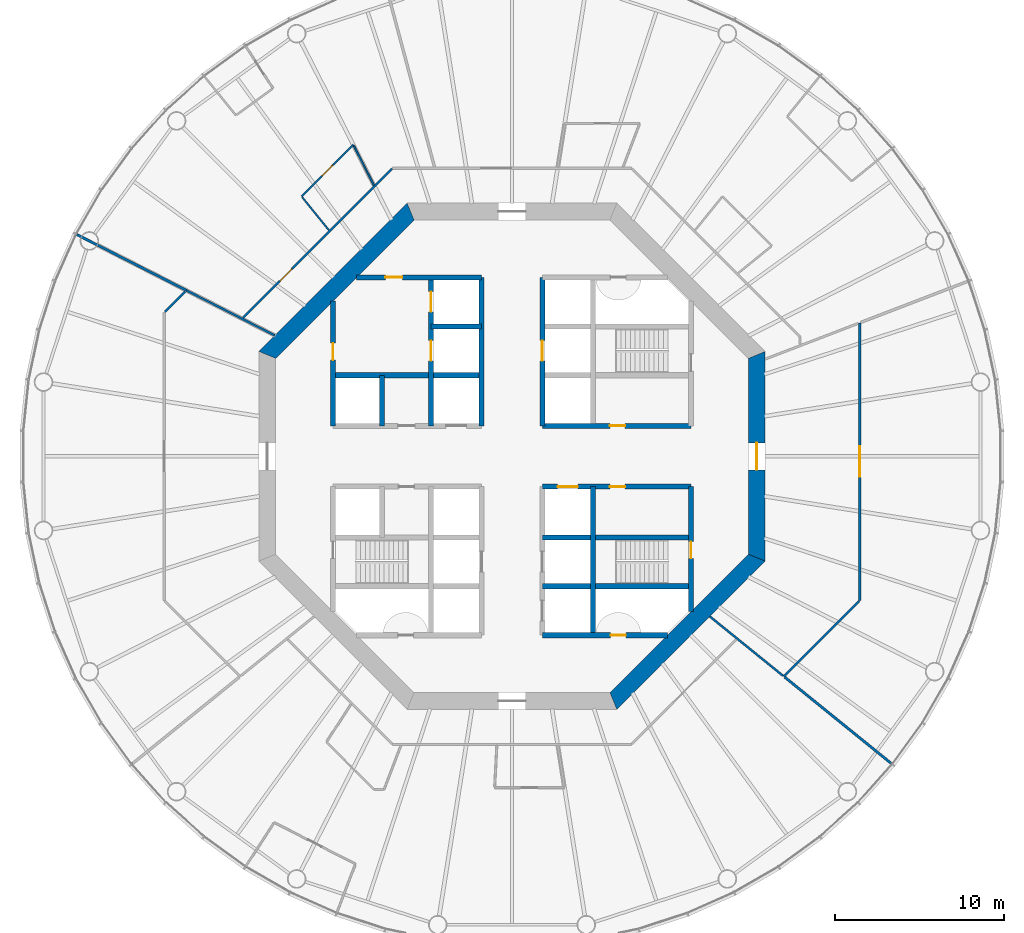
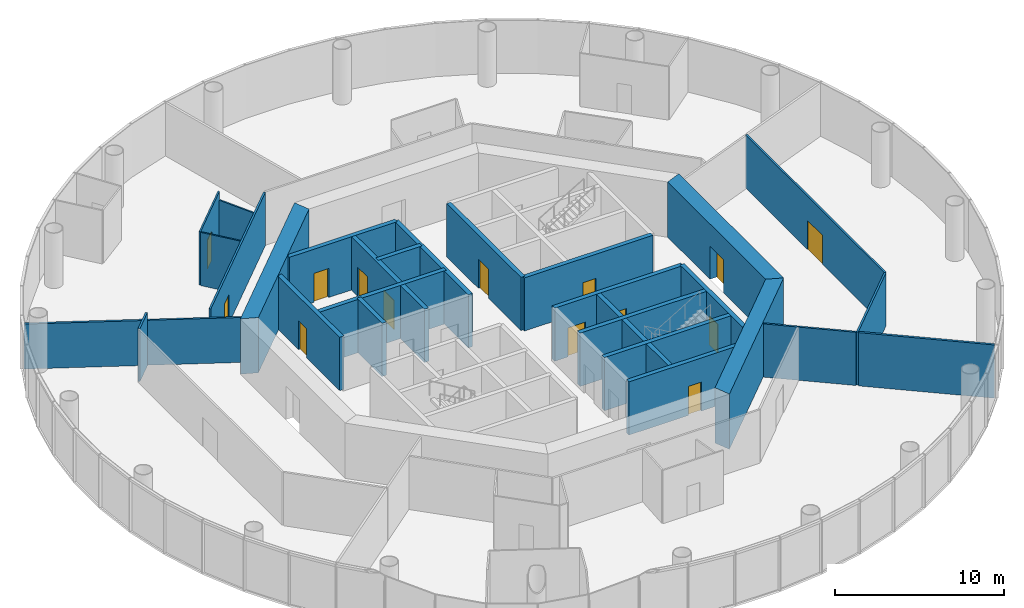
# One storey, part 4 of 12: 29 walls, 14 doors, 14 openings.
"""IFC4 building model written with IfcOpenShell, lengths in metres."""

from ifc_helpers import new_model, si_unit, direction, frame, frame_2d, origin, place, context, subcontext, project, spatial, polyline, rectangle, outline, extrude, material, layer, layer_set, type_object, element, fill, save


model = new_model("IFC4")

# Units and contexts
model_context = context("Model", 3, precision=1e-05, world=origin(), true_north=direction((0.0, 1.0)))
body_context = subcontext(model_context, "Body", "Model", "MODEL_VIEW")
ifc_project = project(units=[si_unit("LENGTHUNIT", "METRE"), si_unit("AREAUNIT", "SQUARE_METRE"), si_unit("VOLUMEUNIT", "CUBIC_METRE"), si_unit("PLANEANGLEUNIT", "RADIAN"), si_unit("MASSUNIT", "GRAM", prefix="KILO")], contexts=[model_context])

# Site, building, storey
site_placement = place(None, origin())
site = spatial("IfcSite", under=ifc_project, at=site_placement, CompositionType="ELEMENT")
building_placement = place(site_placement, origin())
building = spatial("IfcBuilding", under=site, at=building_placement, Name="Entoto Ring Tower", CompositionType="ELEMENT")
storey_placement = place(building_placement, frame((0.0, 0.0, 192.0)))
storey = spatial("IfcBuildingStorey", under=building, at=storey_placement, Name="L44", CompositionType="ELEMENT", Elevation=192.0)

# Wall, opening, door
ifc_material_1 = material(Name="Concrete C40/50", Category="concrete")
ifc_layer_1 = layer(ifc_material_1, 0.300048828125)
ifc_layer_set_1 = layer_set([ifc_layer_1], Name="Concrete C40/50")
wall_type_1 = type_object("IfcWallType", Name="Core enclosure wall 300 mm reinforced concrete", PredefinedType="SOLIDWALL", material=ifc_layer_set_1)
wall_1_placement = place(storey_placement, frame((100.60009765625, 70.801025390625, 0.0), z_axis=(0.0, 0.0, 1.0), x_axis=(0.0, 1.0, 0.0)))
wall_1 = element("IfcWall", 1, at=wall_1_placement, inside=storey, type_object=wall_type_1, Name="wall-L44-001", PredefinedType="SOLIDWALL", context=body_context, shape_type="SweptSolid", body=[
    extrude(rectangle(XDim=7.39892578125, YDim=0.300048828125, at=frame_2d((3.699462890625, 0.0))), origin(), (0.0, 0.0, 1.0), 3.85009765625),
])
opening_1_placement = place(wall_1_placement, frame((3.14892578125, 0.0, 0.0)))
opening_1 = element("IfcOpeningElement", 2, at=opening_1_placement, cuts=wall_1, Name="Opening K-17", PredefinedType="OPENING", context=body_context, shape_type="SweptSolid", body=[
    extrude(rectangle(XDim=1.0, YDim=2.10009765625, at=frame_2d((0.5, 1.050048828125))), frame((0.0, 0.16015625, 0.0), z_axis=(0.0, -1.0, 0.0), x_axis=(1.0, 0.0, 0.0)), (0.0, 0.0, 1.0), 0.320068359375),
])
ifc_material_2 = material(Name="Steel door leaf, fire rated", Category="steel")
ifc_layer_2 = layer(ifc_material_2, 0.050048828125)
ifc_layer_set_2 = layer_set([ifc_layer_2], Name="Steel door leaf, fire rated")
door_type_1 = type_object("IfcDoorType", Name="Fire door FD60 1000 x 2100 single leaf", OperationType="NOTDEFINED", PredefinedType="DOOR", material=ifc_layer_set_2)
door_1_placement = place(opening_1_placement, origin())
door_1 = element("IfcDoor", 3, at=door_1_placement, inside=storey, type_object=door_type_1, Name="Door K-17", OperationType="SINGLE_SWING_RIGHT", OverallHeight=2.10009765625, OverallWidth=1.0, PredefinedType="DOOR", context=body_context, shape_type="SweptSolid", body=[
    extrude(rectangle(XDim=1.0, YDim=2.10009765625, at=frame_2d((0.5, 1.050048828125))), frame((0.0, 0.02490234375, 0.0), z_axis=(0.0, -1.0, 0.0), x_axis=(1.0, 0.0, 0.0)), (0.0, 0.0, 1.0), 0.050048828125),
])
fill(opening_1, door_1)

# Wall
wall_2_placement = place(storey_placement, frame((94.800048828125, 69.39990234375, 0.0), z_axis=(0.0, 0.0, 1.0), x_axis=(0.0, 1.0, 0.0)))
element("IfcWall", 4, at=wall_2_placement, inside=storey, type_object=wall_type_1, Name="wall-L44-003", PredefinedType="SOLIDWALL", context=body_context, shape_type="SweptSolid", body=[
    extrude(rectangle(XDim=8.800048828125, YDim=0.300048828125, at=frame_2d((4.39990234375, 0.0))), origin(), (0.0, 0.0, 1.0), 3.85009765625),
])

# Wall, opening, door
wall_3_placement = place(storey_placement, frame((91.800048828125, 81.800048828125, 0.0), z_axis=(0.0, 0.0, 1.0), x_axis=(0.0, 1.0, 0.0)))
wall_3 = element("IfcWall", 5, at=wall_3_placement, inside=storey, type_object=wall_type_1, Name="wall-L44-006", PredefinedType="SOLIDWALL", context=body_context, shape_type="SweptSolid", body=[
    extrude(rectangle(XDim=8.800048828125, YDim=0.300048828125, at=frame_2d((4.39990234375, 0.0))), origin(), (0.0, 0.0, 1.0), 3.85009765625),
])
opening_2_placement = place(wall_3_placement, frame((3.85009765625, 0.0, 0.0)))
opening_2 = element("IfcOpeningElement", 6, at=opening_2_placement, cuts=wall_3, Name="Opening LD", PredefinedType="OPENING", context=body_context, shape_type="SweptSolid", body=[
    extrude(rectangle(XDim=1.199951171875, YDim=2.10009765625, at=frame_2d((0.60009765625, 1.050048828125))), frame((0.0, 0.16015625, 0.0), z_axis=(0.0, -1.0, 0.0), x_axis=(1.0, 0.0, 0.0)), (0.0, 0.0, 1.0), 0.320068359375),
])
ifc_material_3 = material(Name="Steel and glass door leaf", Category="steel")
ifc_layer_3 = layer(ifc_material_3, 0.050048828125)
ifc_layer_set_3 = layer_set([ifc_layer_3], Name="Steel and glass door leaf")
door_type_2 = type_object("IfcDoorType", Name="Landing door 1200 x 2100 sliding", OperationType="DOUBLE_DOOR_SLIDING", PredefinedType="DOOR", material=ifc_layer_set_3)
door_2_placement = place(opening_2_placement, origin())
door_2 = element("IfcDoor", 7, at=door_2_placement, inside=storey, type_object=door_type_2, Name="Landing door LB1-MR", OperationType="SLIDING_TO_RIGHT", OverallHeight=2.10009765625, OverallWidth=1.199951171875, PredefinedType="DOOR", context=body_context, shape_type="SweptSolid", body=[
    extrude(rectangle(XDim=1.199951171875, YDim=2.10009765625, at=frame_2d((0.60009765625, 1.050048828125))), frame((0.0, 0.02490234375, 0.0), z_axis=(0.0, -1.0, 0.0), x_axis=(1.0, 0.0, 0.0)), (0.0, 0.0, 1.0), 0.050048828125),
])
fill(opening_2, door_2)

# Wall
wall_4_placement = place(storey_placement, frame((88.199951171875, 81.800048828125, 0.0), z_axis=(0.0, 0.0, 1.0), x_axis=(0.0, 1.0, 0.0)))
element("IfcWall", 8, at=wall_4_placement, inside=storey, type_object=wall_type_1, Name="wall-L44-008", PredefinedType="SOLIDWALL", context=body_context, shape_type="SweptSolid", body=[
    extrude(rectangle(XDim=8.800048828125, YDim=0.300048828125, at=frame_2d((4.39990234375, 0.0))), origin(), (0.0, 0.0, 1.0), 3.85009765625),
])

# Wall, openings, doors
wall_5_placement = place(storey_placement, frame((85.199951171875, 81.800048828125, 0.0), z_axis=(0.0, 0.0, 1.0), x_axis=(0.0, 1.0, 0.0)))
wall_5 = element("IfcWall", 9, at=wall_5_placement, inside=storey, type_object=wall_type_1, Name="wall-L44-010", PredefinedType="SOLIDWALL", context=body_context, shape_type="SweptSolid", body=[
    extrude(rectangle(XDim=8.800048828125, YDim=0.300048828125, at=frame_2d((4.39990234375, 0.0))), origin(), (0.0, 0.0, 1.0), 3.85009765625),
])
opening_3_placement = place(wall_5_placement, frame((3.85009765625, 0.0, 0.0)))
opening_3 = element("IfcOpeningElement", 10, at=opening_3_placement, cuts=wall_5, Name="Opening LD", PredefinedType="OPENING", context=body_context, shape_type="SweptSolid", body=[
    extrude(rectangle(XDim=1.199951171875, YDim=2.10009765625, at=frame_2d((0.60009765625, 1.050048828125))), frame((0.0, 0.16015625, 0.0), z_axis=(0.0, -1.0, 0.0), x_axis=(1.0, 0.0, 0.0)), (0.0, 0.0, 1.0), 0.320068359375),
])
opening_4_placement = place(wall_5_placement, frame((6.75, 0.0, 0.0)))
opening_4 = element("IfcOpeningElement", 11, at=opening_4_placement, cuts=wall_5, Name="Opening LD", PredefinedType="OPENING", context=body_context, shape_type="SweptSolid", body=[
    extrude(rectangle(XDim=1.199951171875, YDim=2.10009765625, at=frame_2d((0.60009765625, 1.050048828125))), frame((0.0, 0.16015625, 0.0), z_axis=(0.0, -1.0, 0.0), x_axis=(1.0, 0.0, 0.0)), (0.0, 0.0, 1.0), 0.320068359375),
])
door_3_placement = place(opening_3_placement, origin())
door_3 = element("IfcDoor", 12, at=door_3_placement, inside=storey, type_object=door_type_2, Name="Landing door FF1", OperationType="SLIDING_TO_RIGHT", OverallHeight=2.10009765625, OverallWidth=1.199951171875, PredefinedType="DOOR", context=body_context, shape_type="SweptSolid", body=[
    extrude(rectangle(XDim=1.199951171875, YDim=2.10009765625, at=frame_2d((0.60009765625, 1.050048828125))), frame((0.0, 0.02490234375, 0.0), z_axis=(0.0, -1.0, 0.0), x_axis=(1.0, 0.0, 0.0)), (0.0, 0.0, 1.0), 0.050048828125),
])
fill(opening_3, door_3)
door_4_placement = place(opening_4_placement, origin())
door_4 = element("IfcDoor", 13, at=door_4_placement, inside=storey, type_object=door_type_2, Name="Landing door FF2", OperationType="SLIDING_TO_RIGHT", OverallHeight=2.10009765625, OverallWidth=1.199951171875, PredefinedType="DOOR", context=body_context, shape_type="SweptSolid", body=[
    extrude(rectangle(XDim=1.199951171875, YDim=2.10009765625, at=frame_2d((0.60009765625, 1.050048828125))), frame((0.0, 0.02490234375, 0.0), z_axis=(0.0, -1.0, 0.0), x_axis=(1.0, 0.0, 0.0)), (0.0, 0.0, 1.0), 0.050048828125),
])
fill(opening_4, door_4)

# Wall
wall_6_placement = place(storey_placement, frame((82.300048828125, 81.800048828125, 0.0), z_axis=(0.0, 0.0, 1.0), x_axis=(0.0, 1.0, 0.0)))
element("IfcWall", 14, at=wall_6_placement, inside=storey, type_object=wall_type_1, Name="wall-L44-012", PredefinedType="SOLIDWALL", context=body_context, shape_type="SweptSolid", body=[
    extrude(rectangle(XDim=3.0, YDim=0.300048828125, at=frame_2d((1.5, 0.0))), origin(), (0.0, 0.0, 1.0), 3.85009765625),
])

# Wall, opening, door
wall_7_placement = place(storey_placement, frame((79.39990234375, 81.800048828125, 0.0), z_axis=(0.0, 0.0, 1.0), x_axis=(0.0, 1.0, 0.0)))
wall_7 = element("IfcWall", 15, at=wall_7_placement, inside=storey, type_object=wall_type_1, Name="wall-L44-014", PredefinedType="SOLIDWALL", context=body_context, shape_type="SweptSolid", body=[
    extrude(rectangle(XDim=7.39892578125, YDim=0.300048828125, at=frame_2d((3.699462890625, 0.0))), origin(), (0.0, 0.0, 1.0), 3.85009765625),
])
opening_5_placement = place(wall_7_placement, frame((3.89990234375, 0.0, 0.0)))
opening_5 = element("IfcOpeningElement", 16, at=opening_5_placement, cuts=wall_7, Name="Opening K-67", PredefinedType="OPENING", context=body_context, shape_type="SweptSolid", body=[
    extrude(rectangle(XDim=1.0, YDim=2.10009765625, at=frame_2d((0.5, 1.050048828125))), frame((0.0, 0.16015625, 0.0), z_axis=(0.0, -1.0, 0.0), x_axis=(1.0, 0.0, 0.0)), (0.0, 0.0, 1.0), 0.320068359375),
])
door_5_placement = place(opening_5_placement, frame((1.0, 0.0, 0.0), z_axis=(0.0, 0.0, 1.0), x_axis=(-1.0, 0.0, 0.0)))
door_5 = element("IfcDoor", 17, at=door_5_placement, inside=storey, type_object=door_type_1, Name="Door K-67", OperationType="SINGLE_SWING_RIGHT", OverallHeight=2.10009765625, OverallWidth=1.0, PredefinedType="DOOR", context=body_context, shape_type="SweptSolid", body=[
    extrude(rectangle(XDim=1.0, YDim=2.10009765625, at=frame_2d((0.5, 1.050048828125))), frame((0.0, 0.02490234375, 0.0), z_axis=(0.0, -1.0, 0.0), x_axis=(1.0, 0.0, 0.0)), (0.0, 0.0, 1.0), 0.050048828125),
])
fill(opening_5, door_5)

wall_8_placement = place(storey_placement, frame((91.800048828125, 69.39990234375, 0.0), z_axis=(0.0, 0.0, 1.0), x_axis=(1.0, 0.0, 0.0)))
wall_8 = element("IfcWall", 18, at=wall_8_placement, inside=storey, type_object=wall_type_1, Name="wall-L44-016", PredefinedType="SOLIDWALL", context=body_context, shape_type="SweptSolid", body=[
    extrude(rectangle(XDim=7.39892578125, YDim=0.300048828125, at=frame_2d((3.699462890625, 0.0))), origin(), (0.0, 0.0, 1.0), 3.85009765625),
])
opening_6_placement = place(wall_8_placement, frame((4.050048828125, 0.0, 0.0)))
opening_6 = element("IfcOpeningElement", 19, at=opening_6_placement, cuts=wall_8, Name="Opening K-20", PredefinedType="OPENING", context=body_context, shape_type="SweptSolid", body=[
    extrude(rectangle(XDim=0.89990234375, YDim=2.10009765625, at=frame_2d((0.449951171875, 1.050048828125))), frame((0.0, 0.16015625, 0.0), z_axis=(0.0, -1.0, 0.0), x_axis=(1.0, 0.0, 0.0)), (0.0, 0.0, 1.0), 0.320068359375),
])
ifc_material_4 = material(Name="Steel door leaf, fire rated", Category="steel")
ifc_layer_4 = layer(ifc_material_4, 0.050048828125)
ifc_layer_set_4 = layer_set([ifc_layer_4], Name="Steel door leaf, fire rated")
door_type_3 = type_object("IfcDoorType", Name="Riser door FD60 900 x 2100 single leaf", OperationType="NOTDEFINED", PredefinedType="DOOR", material=ifc_layer_set_4)
door_6_placement = place(opening_6_placement, origin())
door_6 = element("IfcDoor", 20, at=door_6_placement, inside=storey, type_object=door_type_3, Name="Door K-20", OperationType="SINGLE_SWING_LEFT", OverallHeight=2.10009765625, OverallWidth=0.89990234375, PredefinedType="DOOR", context=body_context, shape_type="SweptSolid", body=[
    extrude(rectangle(XDim=0.89990234375, YDim=2.10009765625, at=frame_2d((0.449951171875, 1.050048828125))), frame((0.0, 0.02490234375, 0.0), z_axis=(0.0, -1.0, 0.0), x_axis=(1.0, 0.0, 0.0)), (0.0, 0.0, 1.0), 0.050048828125),
])
fill(opening_6, door_6)

# Walls
for number, where, z_axis, x_axis, name in (
    (21, (91.800048828125, 72.300048828125, 0.0), (0.0, 0.0, 1.0), (1.0, 0.0, 0.0), "wall-L44-018"),
    (22, (91.800048828125, 75.199951171875, 0.0), (0.0, 0.0, 1.0), (1.0, 0.0, 0.0), "wall-L44-020"),
):
    element("IfcWall", number, at=place(storey_placement, frame(where, z_axis=z_axis, x_axis=x_axis)), inside=storey, type_object=wall_type_1, Name=name, PredefinedType="SOLIDWALL", context=body_context, shape_type="SweptSolid", body=[
        extrude(rectangle(XDim=8.800048828125, YDim=0.300048828125, at=frame_2d((4.39990234375, 0.0))), origin(), (0.0, 0.0, 1.0), 3.85009765625),
    ])

# Wall, openings, doors
wall_9_placement = place(storey_placement, frame((91.800048828125, 78.199951171875, 0.0), z_axis=(0.0, 0.0, 1.0), x_axis=(1.0, 0.0, 0.0)))
wall_9 = element("IfcWall", 23, at=wall_9_placement, inside=storey, type_object=wall_type_1, Name="wall-L44-022", PredefinedType="SOLIDWALL", context=body_context, shape_type="SweptSolid", body=[
    extrude(rectangle(XDim=8.800048828125, YDim=0.300048828125, at=frame_2d((4.39990234375, 0.0))), origin(), (0.0, 0.0, 1.0), 3.85009765625),
])
opening_7_placement = place(wall_9_placement, frame((0.89990234375, 0.0, 0.0)))
opening_7 = element("IfcOpeningElement", 24, at=opening_7_placement, cuts=wall_9, Name="Opening LD", PredefinedType="OPENING", context=body_context, shape_type="SweptSolid", body=[
    extrude(rectangle(XDim=1.199951171875, YDim=2.10009765625, at=frame_2d((0.60009765625, 1.050048828125))), frame((0.0, 0.16015625, 0.0), z_axis=(0.0, -1.0, 0.0), x_axis=(1.0, 0.0, 0.0)), (0.0, 0.0, 1.0), 0.320068359375),
])
opening_8_placement = place(wall_9_placement, frame((4.0, 0.0, 0.0)))
opening_8 = element("IfcOpeningElement", 25, at=opening_8_placement, cuts=wall_9, Name="Opening K-12", PredefinedType="OPENING", context=body_context, shape_type="SweptSolid", body=[
    extrude(rectangle(XDim=0.89990234375, YDim=2.10009765625, at=frame_2d((0.449951171875, 1.050048828125))), frame((0.0, 0.16015625, 0.0), z_axis=(0.0, -1.0, 0.0), x_axis=(1.0, 0.0, 0.0)), (0.0, 0.0, 1.0), 0.320068359375),
])
ifc_material_5 = material(Name="Steel door leaf, fire rated", Category="steel")
ifc_layer_5 = layer(ifc_material_5, 0.050048828125)
ifc_layer_set_5 = layer_set([ifc_layer_5], Name="Steel door leaf, fire rated")
door_type_4 = type_object("IfcDoorType", Name="Core door 900 x 2100 single leaf", OperationType="NOTDEFINED", PredefinedType="DOOR", material=ifc_layer_set_5)
door_7_placement = place(opening_8_placement, frame((0.89990234375, 0.0, 0.0), z_axis=(0.0, 0.0, 1.0), x_axis=(-1.0, 0.0, 0.0)))
door_7 = element("IfcDoor", 26, at=door_7_placement, inside=storey, type_object=door_type_4, Name="Door K-12", OperationType="SINGLE_SWING_RIGHT", OverallHeight=2.10009765625, OverallWidth=0.89990234375, PredefinedType="DOOR", context=body_context, shape_type="SweptSolid", body=[
    extrude(rectangle(XDim=0.89990234375, YDim=2.10009765625, at=frame_2d((0.449951171875, 1.050048828125))), frame((0.0, 0.02490234375, 0.0), z_axis=(0.0, -1.0, 0.0), x_axis=(1.0, 0.0, 0.0)), (0.0, 0.0, 1.0), 0.050048828125),
])
fill(opening_8, door_7)
door_8_placement = place(opening_7_placement, origin())
door_8 = element("IfcDoor", 27, at=door_8_placement, inside=storey, type_object=door_type_2, Name="Landing door LB6-MR", OperationType="SLIDING_TO_LEFT", OverallHeight=2.10009765625, OverallWidth=1.199951171875, PredefinedType="DOOR", context=body_context, shape_type="SweptSolid", body=[
    extrude(rectangle(XDim=1.199951171875, YDim=2.10009765625, at=frame_2d((0.60009765625, 1.050048828125))), frame((0.0, 0.02490234375, 0.0), z_axis=(0.0, -1.0, 0.0), x_axis=(1.0, 0.0, 0.0)), (0.0, 0.0, 1.0), 0.050048828125),
])
fill(opening_7, door_8)

# Wall, opening, door
wall_10_placement = place(storey_placement, frame((91.800048828125, 81.800048828125, 0.0), z_axis=(0.0, 0.0, 1.0), x_axis=(1.0, 0.0, 0.0)))
wall_10 = element("IfcWall", 28, at=wall_10_placement, inside=storey, type_object=wall_type_1, Name="wall-L44-024", PredefinedType="SOLIDWALL", context=body_context, shape_type="SweptSolid", body=[
    extrude(rectangle(XDim=8.800048828125, YDim=0.300048828125, at=frame_2d((4.39990234375, 0.0))), origin(), (0.0, 0.0, 1.0), 3.85009765625),
])
opening_9_placement = place(wall_10_placement, frame((4.0, 0.0, 0.0)))
opening_9 = element("IfcOpeningElement", 29, at=opening_9_placement, cuts=wall_10, Name="Opening K-11", PredefinedType="OPENING", context=body_context, shape_type="SweptSolid", body=[
    extrude(rectangle(XDim=0.89990234375, YDim=2.10009765625, at=frame_2d((0.449951171875, 1.050048828125))), frame((0.0, 0.16015625, 0.0), z_axis=(0.0, -1.0, 0.0), x_axis=(1.0, 0.0, 0.0)), (0.0, 0.0, 1.0), 0.320068359375),
])
door_9_placement = place(opening_9_placement, origin())
door_9 = element("IfcDoor", 30, at=door_9_placement, inside=storey, type_object=door_type_4, Name="Door K-11", OperationType="SINGLE_SWING_LEFT", OverallHeight=2.10009765625, OverallWidth=0.89990234375, PredefinedType="DOOR", context=body_context, shape_type="SweptSolid", body=[
    extrude(rectangle(XDim=0.89990234375, YDim=2.10009765625, at=frame_2d((0.449951171875, 1.050048828125))), frame((0.0, 0.02490234375, 0.0), z_axis=(0.0, -1.0, 0.0), x_axis=(1.0, 0.0, 0.0)), (0.0, 0.0, 1.0), 0.050048828125),
])
fill(opening_9, door_9)

# Walls
wall_11_placement = place(storey_placement, frame((79.39990234375, 84.800048828125, 0.0), z_axis=(0.0, 0.0, 1.0), x_axis=(1.0, 0.0, 0.0)))
element("IfcWall", 31, at=wall_11_placement, inside=storey, type_object=wall_type_1, Name="wall-L44-025", PredefinedType="SOLIDWALL", context=body_context, shape_type="SweptSolid", body=[
    extrude(rectangle(XDim=8.800048828125, YDim=0.300048828125, at=frame_2d((4.39990234375, 0.0))), origin(), (0.0, 0.0, 1.0), 3.85009765625),
])
wall_12_placement = place(storey_placement, frame((85.199951171875, 87.699951171875, 0.0), z_axis=(0.0, 0.0, 1.0), x_axis=(1.0, 0.0, 0.0)))
element("IfcWall", 32, at=wall_12_placement, inside=storey, type_object=wall_type_1, Name="wall-L44-027", PredefinedType="SOLIDWALL", context=body_context, shape_type="SweptSolid", body=[
    extrude(rectangle(XDim=3.0, YDim=0.300048828125, at=frame_2d((1.5, 0.0))), origin(), (0.0, 0.0, 1.0), 3.85009765625),
])

# Wall, opening, door
wall_13_placement = place(storey_placement, frame((80.801025390625, 90.60009765625, 0.0), z_axis=(0.0, 0.0, 1.0), x_axis=(1.0, 0.0, 0.0)))
wall_13 = element("IfcWall", 33, at=wall_13_placement, inside=storey, type_object=wall_type_1, Name="wall-L44-029", PredefinedType="SOLIDWALL", context=body_context, shape_type="SweptSolid", body=[
    extrude(rectangle(XDim=7.39892578125, YDim=0.300048828125, at=frame_2d((3.699462890625, 0.0))), origin(), (0.0, 0.0, 1.0), 3.85009765625),
])
opening_10_placement = place(wall_13_placement, frame((1.698974609375, 0.0, 0.0)))
opening_10 = element("IfcOpeningElement", 34, at=opening_10_placement, cuts=wall_13, Name="Opening K-22", PredefinedType="OPENING", context=body_context, shape_type="SweptSolid", body=[
    extrude(rectangle(XDim=1.0, YDim=2.10009765625, at=frame_2d((0.5, 1.050048828125))), frame((0.0, 0.16015625, 0.0), z_axis=(0.0, -1.0, 0.0), x_axis=(1.0, 0.0, 0.0)), (0.0, 0.0, 1.0), 0.320068359375),
])
door_10_placement = place(opening_10_placement, frame((1.0, 0.0, 0.0), z_axis=(0.0, 0.0, 1.0), x_axis=(-1.0, 0.0, 0.0)))
door_10 = element("IfcDoor", 35, at=door_10_placement, inside=storey, type_object=door_type_1, Name="Door K-22", OperationType="SINGLE_SWING_LEFT", OverallHeight=2.10009765625, OverallWidth=1.0, PredefinedType="DOOR", context=body_context, shape_type="SweptSolid", body=[
    extrude(rectangle(XDim=1.0, YDim=2.10009765625, at=frame_2d((0.5, 1.050048828125))), frame((0.0, 0.02490234375, 0.0), z_axis=(0.0, -1.0, 0.0), x_axis=(1.0, 0.0, 0.0)), (0.0, 0.0, 1.0), 0.050048828125),
])
fill(opening_10, door_10)

ifc_material_6 = material(Name="Concrete C50/60", Category="concrete")
ifc_layer_6 = layer(ifc_material_6, 1.0)
ifc_layer_set_6 = layer_set([ifc_layer_6], Name="Concrete C50/60")
wall_type_2 = type_object("IfcWallType", Name="Core shear wall 1000 mm reinforced concrete C50/60", PredefinedType="SHEAR", material=ifc_layer_set_6)
wall_14_placement = place(storey_placement, frame((104.5, 73.993896484375, 0.0), z_axis=(0.0, 0.0, 1.0), x_axis=(0.0, 1.0, 0.0)))
wall_14 = element("IfcWall", 36, at=wall_14_placement, inside=storey, type_object=wall_type_2, Name="wall-L44-core-0", PredefinedType="SHEAR", context=body_context, shape_type="SweptSolid", body=[
    extrude(outline(polyline([(-0.20703125, -0.5), (12.21923828125, -0.5), (11.80517578125, 0.5), (0.20703125, 0.5), (-0.20703125, -0.5)])), origin(), (0.0, 0.0, 1.0), 4.0),
])
opening_11_placement = place(wall_14_placement, frame((5.2060546875, 0.0, 0.0)))
opening_11 = element("IfcOpeningElement", 37, at=opening_11_placement, cuts=wall_14, Name="Opening K-01", PredefinedType="OPENING", context=body_context, shape_type="SweptSolid", body=[
    extrude(rectangle(XDim=1.60009765625, YDim=2.39990234375, at=frame_2d((0.800048828125, 1.199951171875))), frame((0.0, 0.510009765625, 0.0), z_axis=(0.0, -1.0, 0.0), x_axis=(1.0, 0.0, 0.0)), (0.0, 0.0, 1.0), 1.02001953125),
])
ifc_material_7 = material(Name="Steel door leaf, fire rated", Category="steel")
ifc_layer_7 = layer(ifc_material_7, 0.050048828125)
ifc_layer_set_7 = layer_set([ifc_layer_7], Name="Steel door leaf, fire rated")
door_type_5 = type_object("IfcDoorType", Name="Entrance door FD60 1600 x 2400 double leaf", OperationType="DOUBLE_DOOR_SINGLE_SWING", PredefinedType="DOOR", material=ifc_layer_set_7)
door_11_placement = place(opening_11_placement, origin())
door_11 = element("IfcDoor", 38, at=door_11_placement, inside=storey, type_object=door_type_5, Name="Entrance door K-01", OperationType="DOUBLE_DOOR_SINGLE_SWING", OverallHeight=2.39990234375, OverallWidth=1.60009765625, PredefinedType="DOOR", context=body_context, shape_type="SweptSolid", body=[
    extrude(rectangle(XDim=1.60009765625, YDim=2.39990234375, at=frame_2d((0.800048828125, 1.199951171875))), frame((0.0, 0.02490234375, 0.0), z_axis=(0.0, -1.0, 0.0), x_axis=(1.0, 0.0, 0.0)), (0.0, 0.0, 1.0), 0.050048828125),
])
fill(opening_11, door_11)

# Walls
for number, where, z_axis, x_axis, name in (
    (39, (83.993896484375, 94.5, 0.0), (0.0, 0.0, 1.0), (-0.707106781187, -0.707106781187, 0.0), "wall-L44-core-3"),
    (40, (96.006103515625, 65.5, 0.0), (0.0, 0.0, 1.0), (0.707106781187, 0.707106781187, 0.0), "wall-L44-core-7"),
):
    element("IfcWall", number, at=place(storey_placement, frame(where, z_axis=z_axis, x_axis=x_axis)), inside=storey, type_object=wall_type_2, Name=name, PredefinedType="SHEAR", context=body_context, shape_type="SweptSolid", body=[
        extrude(outline(polyline([(-0.20703125, -0.5), (12.21923828125, -0.5), (11.80517578125, 0.5), (0.20703125, 0.5), (-0.20703125, -0.5)])), origin(), (0.0, 0.0, 1.0), 4.0),
    ])

# Wall, opening, door
ifc_material_8 = material(Name="Fire-resisting plasterboard on steel studs", Category="steel")
ifc_layer_8 = layer(ifc_material_8, 0.125)
ifc_layer_set_8 = layer_set([ifc_layer_8], Name="Fire-resisting plasterboard on steel studs")
wall_type_3 = type_object("IfcWallType", Name="Corridor wall 125 mm one-hour plasterboard on steel studs", PredefinedType="PARTITIONING", material=ifc_layer_set_8)
wall_15_placement = place(storey_placement, frame((110.60009765625, 71.46728515625, 0.0), z_axis=(0.0, 0.0, 1.0), x_axis=(0.0, 1.0, 0.0)))
wall_15 = element("IfcWall", 41, at=wall_15_placement, inside=storey, type_object=wall_type_3, Name="partition-L44-002", PredefinedType="PARTITIONING", context=body_context, shape_type="SweptSolid", body=[
    extrude(rectangle(XDim=16.4404296875, YDim=0.125, at=frame_2d((8.22021484375, 0.0))), origin(), (0.0, 0.0, 1.0), 3.85009765625),
])
opening_12_placement = place(wall_15_placement, frame((7.3203125, 0.0, 0.0)))
opening_12 = element("IfcOpeningElement", 42, at=opening_12_placement, cuts=wall_15, Name="Opening A19-D01", PredefinedType="OPENING", context=body_context, shape_type="SweptSolid", body=[
    extrude(rectangle(XDim=1.800048828125, YDim=2.10009765625, at=frame_2d((0.89990234375, 1.050048828125))), frame((0.0, 0.072509765625, 0.0), z_axis=(0.0, -1.0, 0.0), x_axis=(1.0, 0.0, 0.0)), (0.0, 0.0, 1.0), 0.14501953125),
])
ifc_material_9 = material(Name="Fire-resisting timber door set", Category="wood")
door_type_6 = type_object("IfcDoorType", Name="Door 1800 x 2100 double leaf FD30S fire door", OperationType="DOUBLE_DOOR_SINGLE_SWING", PredefinedType="DOOR", material=ifc_material_9)
door_12_placement = place(opening_12_placement, frame((1.800048828125, 0.0, 0.0), z_axis=(0.0, 0.0, 1.0), x_axis=(-1.0, 0.0, 0.0)))
door_12 = element("IfcDoor", 43, at=door_12_placement, inside=storey, type_object=door_type_6, Name="Door A19-D01", OperationType="DOUBLE_DOOR_SINGLE_SWING", OverallHeight=2.10009765625, OverallWidth=1.800048828125, PredefinedType="DOOR", context=body_context, shape_type="SweptSolid", body=[
    extrude(rectangle(XDim=1.800048828125, YDim=2.10009765625, at=frame_2d((0.89990234375, 1.050048828125))), frame((0.0, 0.02490234375, 0.0), z_axis=(0.0, -1.0, 0.0), x_axis=(1.0, 0.0, 0.0)), (0.0, 0.0, 1.0), 0.050048828125),
])
fill(opening_12, door_12)

wall_16_placement = place(storey_placement, frame((74.075439453125, 88.20556640625, 0.0), z_axis=(0.0, 0.0, 1.0), x_axis=(0.707106781187, 0.707106781187, 0.0)))
wall_16 = element("IfcWall", 44, at=wall_16_placement, inside=storey, type_object=wall_type_3, Name="partition-L44-006", PredefinedType="PARTITIONING", context=body_context, shape_type="SweptSolid", body=[
    extrude(rectangle(XDim=12.481689453125, YDim=0.125, at=frame_2d((6.24072265625, 0.0))), origin(), (0.0, 0.0, 1.0), 3.85009765625),
])
opening_13_placement = place(wall_16_placement, frame((3.082763671875, 0.0, 0.0)))
opening_13 = element("IfcOpeningElement", 45, at=opening_13_placement, cuts=wall_16, Name="Opening A19-D07", PredefinedType="OPENING", context=body_context, shape_type="SweptSolid", body=[
    extrude(rectangle(XDim=1.0, YDim=2.10009765625, at=frame_2d((0.5, 1.050048828125))), frame((0.0, 0.072509765625, 0.0), z_axis=(0.0, -1.0, 0.0), x_axis=(1.0, 0.0, 0.0)), (0.0, 0.0, 1.0), 0.14501953125),
])
ifc_material_10 = material(Name="Fire-resisting timber door set", Category="wood")
door_type_7 = type_object("IfcDoorType", Name="Door 1000 x 2100 single leaf FD30S fire door", OperationType="NOTDEFINED", PredefinedType="DOOR", material=ifc_material_10)
door_13_placement = place(opening_13_placement, origin())
door_13 = element("IfcDoor", 46, at=door_13_placement, inside=storey, type_object=door_type_7, Name="Door A19-D07", OperationType="SINGLE_SWING_RIGHT", OverallHeight=2.10009765625, OverallWidth=1.0, PredefinedType="DOOR", context=body_context, shape_type="SweptSolid", body=[
    extrude(rectangle(XDim=1.0, YDim=2.10009765625, at=frame_2d((0.5, 1.050048828125))), frame((0.0, 0.02490234375, 0.0), z_axis=(0.0, -1.0, 0.0), x_axis=(1.0, 0.0, 0.0)), (0.0, 0.0, 1.0), 0.050048828125),
])
fill(opening_13, door_13)

# Walls
wall_17_placement = place(storey_placement, frame((106.097412109375, 66.964599609375, 0.0), z_axis=(0.0, 0.0, 1.0), x_axis=(0.707106781187, 0.707106781187, 0.0)))
element("IfcWall", 47, at=wall_17_placement, inside=storey, type_object=wall_type_3, Name="partition-L44-010", PredefinedType="PARTITIONING", context=body_context, shape_type="SweptSolid", body=[
    extrude(rectangle(XDim=6.323486328125, YDim=0.125, at=frame_2d((3.16162109375, 0.0))), origin(), (0.0, 0.0, 1.0), 3.85009765625),
])
wall_18_placement = place(storey_placement, frame((106.049072265625, 67.003662109375, 0.0), z_axis=(0.0, 0.0, 1.0), x_axis=(-0.777129489168, 0.629340732089, 0.0)))
element("IfcWall", 48, at=wall_18_placement, inside=storey, type_object=wall_type_3, Name="partition-L44-014", PredefinedType="PARTITIONING", context=body_context, shape_type="SweptSolid", body=[
    extrude(rectangle(XDim=5.56884765625, YDim=0.125, at=frame_2d((2.784423828125, 0.0))), origin(), (0.0, 0.0, 1.0), 3.85009765625),
])
wall_19_placement = place(storey_placement, frame((69.43115234375, 88.56396484375, 0.0), z_axis=(0.0, 0.0, 1.0), x_axis=(0.707106781187, 0.707106781187, 0.0)))
element("IfcWall", 49, at=wall_19_placement, inside=storey, type_object=wall_type_3, Name="partition-L44-015", PredefinedType="PARTITIONING", context=body_context, shape_type="SweptSolid", body=[
    extrude(rectangle(XDim=1.6962890625, YDim=0.125, at=frame_2d((0.84814453125, 0.0))), origin(), (0.0, 0.0, 1.0), 3.85009765625),
])
ifc_material_11 = material(Name="Fire-resisting plasterboard on steel studs", Category="steel")
ifc_layer_9 = layer(ifc_material_11, 0.125)
ifc_layer_set_9 = layer_set([ifc_layer_9], Name="Fire-resisting plasterboard on steel studs")
wall_type_4 = type_object("IfcWallType", Name="Corridor wall 125 mm one-hour plasterboard on steel studs, 3250 mm high", PredefinedType="PARTITIONING", material=ifc_layer_set_9)
wall_20_placement = place(storey_placement, frame((75.947021484375, 87.160400390625, 0.0), z_axis=(0.0, 0.0, 1.0), x_axis=(-0.891009750901, 0.453984166905, 0.0)))
element("IfcWall", 50, at=wall_20_placement, inside=storey, type_object=wall_type_4, Name="partition-L44-012", PredefinedType="PARTITIONING", context=body_context, shape_type="SweptSolid", body=[
    extrude(rectangle(XDim=5.88818359375, YDim=0.125, at=frame_2d((2.944091796875, 0.0))), origin(), (0.0, 0.0, 1.0), 3.25),
])

# Wall, opening, door
ifc_material_12 = material(Name="Plasterboard on steel studs", Category="steel")
ifc_layer_10 = layer(ifc_material_12, 0.10009765625)
ifc_layer_set_10 = layer_set([ifc_layer_10], Name="Plasterboard on steel studs")
wall_type_5 = type_object("IfcWallType", Name="Partition 100 mm plasterboard on steel studs", PredefinedType="PARTITIONING", material=ifc_layer_set_10)
wall_21_placement = place(storey_placement, frame((77.532470703125, 95.39599609375, 0.0), z_axis=(0.0, 0.0, 1.0), x_axis=(0.707106781187, 0.707106781187, 0.0)))
wall_21 = element("IfcWall", 51, at=wall_21_placement, inside=storey, type_object=wall_type_5, Name="partition-L44-025", PredefinedType="PARTITIONING", context=body_context, shape_type="SweptSolid", body=[
    extrude(rectangle(XDim=4.3310546875, YDim=0.10009765625, at=frame_2d((2.16552734375, 0.0))), origin(), (0.0, 0.0, 1.0), 3.85009765625),
])
opening_14_placement = place(wall_21_placement, frame((1.715576171875, 0.0, 0.0)))
opening_14 = element("IfcOpeningElement", 52, at=opening_14_placement, cuts=wall_21, Name="Opening A19-D08", PredefinedType="OPENING", context=body_context, shape_type="SweptSolid", body=[
    extrude(rectangle(XDim=0.89990234375, YDim=2.10009765625, at=frame_2d((0.449951171875, 1.050048828125))), frame((0.0, 0.06005859375, 0.0), z_axis=(0.0, -1.0, 0.0), x_axis=(1.0, 0.0, 0.0)), (0.0, 0.0, 1.0), 0.1201171875),
])
ifc_material_13 = material(Name="Veneered timber door leaf in timber frame", Category="wood")
door_type_8 = type_object("IfcDoorType", Name="Door 900 x 2100 single leaf timber veneer", OperationType="NOTDEFINED", PredefinedType="DOOR", material=ifc_material_13)
door_14_placement = place(opening_14_placement, frame((0.89990234375, 0.0, 0.0), z_axis=(0.0, 0.0, 1.0), x_axis=(-1.0, 0.0, 0.0)))
door_14 = element("IfcDoor", 53, at=door_14_placement, inside=storey, type_object=door_type_8, Name="Door A19-D08", OperationType="SINGLE_SWING_LEFT", OverallHeight=2.10009765625, OverallWidth=0.89990234375, PredefinedType="DOOR", context=body_context, shape_type="SweptSolid", body=[
    extrude(rectangle(XDim=0.89990234375, YDim=2.10009765625, at=frame_2d((0.449951171875, 1.050048828125))), frame((0.0, 0.02490234375, 0.0), z_axis=(0.0, -1.0, 0.0), x_axis=(1.0, 0.0, 0.0)), (0.0, 0.0, 1.0), 0.050048828125),
])
fill(opening_14, door_14)

# Walls
wall_22_placement = place(storey_placement, frame((79.16015625, 93.385986328125, 0.0), z_axis=(0.0, 0.0, 1.0), x_axis=(-0.629320038342, 0.777146247074, 0.0)))
element("IfcWall", 54, at=wall_22_placement, inside=storey, type_object=wall_type_5, Name="partition-L44-041", PredefinedType="PARTITIONING", context=body_context, shape_type="SweptSolid", body=[
    extrude(rectangle(XDim=2.536865234375, YDim=0.10009765625, at=frame_2d((1.2685546875, 0.0))), origin(), (0.0, 0.0, 1.0), 3.85009765625),
])
ifc_material_14 = material(Name="Plasterboard on steel studs", Category="steel")
ifc_layer_11 = layer(ifc_material_14, 0.10009765625)
ifc_layer_set_11 = layer_set([ifc_layer_11], Name="Plasterboard on steel studs")
wall_type_6 = type_object("IfcWallType", Name="Partition 100 mm plasterboard on steel studs, 3250 mm high", PredefinedType="PARTITIONING", material=ifc_layer_set_11)
wall_23_placement = place(storey_placement, frame((81.818115234375, 96.05810546875, 0.0), z_axis=(0.0, 0.0, 1.0), x_axis=(-0.454007972663, 0.890997621074, 0.0)))
element("IfcWall", 55, at=wall_23_placement, inside=storey, type_object=wall_type_6, Name="partition-L44-037", PredefinedType="PARTITIONING", context=body_context, shape_type="SweptSolid", body=[
    extrude(rectangle(XDim=2.625244140625, YDim=0.10009765625, at=frame_2d((1.3125, 0.0))), origin(), (0.0, 0.0, 1.0), 3.25),
])
ifc_material_15 = material(Name="Fire-resisting acoustic plasterboard on steel studs", Category="steel")
ifc_layer_12 = layer(ifc_material_15, 0.14990234375)
ifc_layer_set_12 = layer_set([ifc_layer_12], Name="Fire-resisting acoustic plasterboard on steel studs")
wall_type_7 = type_object("IfcWallType", Name="Party wall 150 mm one-hour acoustic plasterboard on steel studs", PredefinedType="PARTITIONING", material=ifc_layer_set_12)
wall_24_placement = place(storey_placement, frame((112.490478515625, 61.78759765625, 0.0), z_axis=(0.0, 0.0, 1.0), x_axis=(-0.777143081467, 0.629323947524, 0.0)))
element("IfcWall", 56, at=wall_24_placement, inside=storey, type_object=wall_type_7, Name="partition-L44-019", PredefinedType="PARTITIONING", context=body_context, shape_type="SweptSolid", body=[
    extrude(rectangle(XDim=8.15576171875, YDim=0.14990234375, at=frame_2d((4.077880859375, 0.0))), origin(), (0.0, 0.0, 1.0), 3.85009765625),
])
ifc_material_16 = material(Name="Fire-resisting acoustic plasterboard on steel studs", Category="steel")
ifc_layer_13 = layer(ifc_material_16, 0.14990234375)
ifc_layer_set_13 = layer_set([ifc_layer_13], Name="Fire-resisting acoustic plasterboard on steel studs")
wall_type_8 = type_object("IfcWallType", Name="Party wall 150 mm one-hour acoustic plasterboard on steel studs, 3250 mm high", PredefinedType="PARTITIONING", material=ifc_layer_set_13)
wall_25_placement = place(storey_placement, frame((70.70068359375, 89.83349609375, 0.0), z_axis=(0.0, 0.0, 1.0), x_axis=(-0.891007502863, 0.453988578977, 0.0)))
element("IfcWall", 57, at=wall_25_placement, inside=storey, type_object=wall_type_8, Name="partition-L44-020", PredefinedType="PARTITIONING", context=body_context, shape_type="SweptSolid", body=[
    extrude(rectangle(XDim=7.27978515625, YDim=0.14990234375, at=frame_2d((3.639892578125, 0.0))), origin(), (0.0, 0.0, 1.0), 3.25),
])

save(model, "model.ifc")
